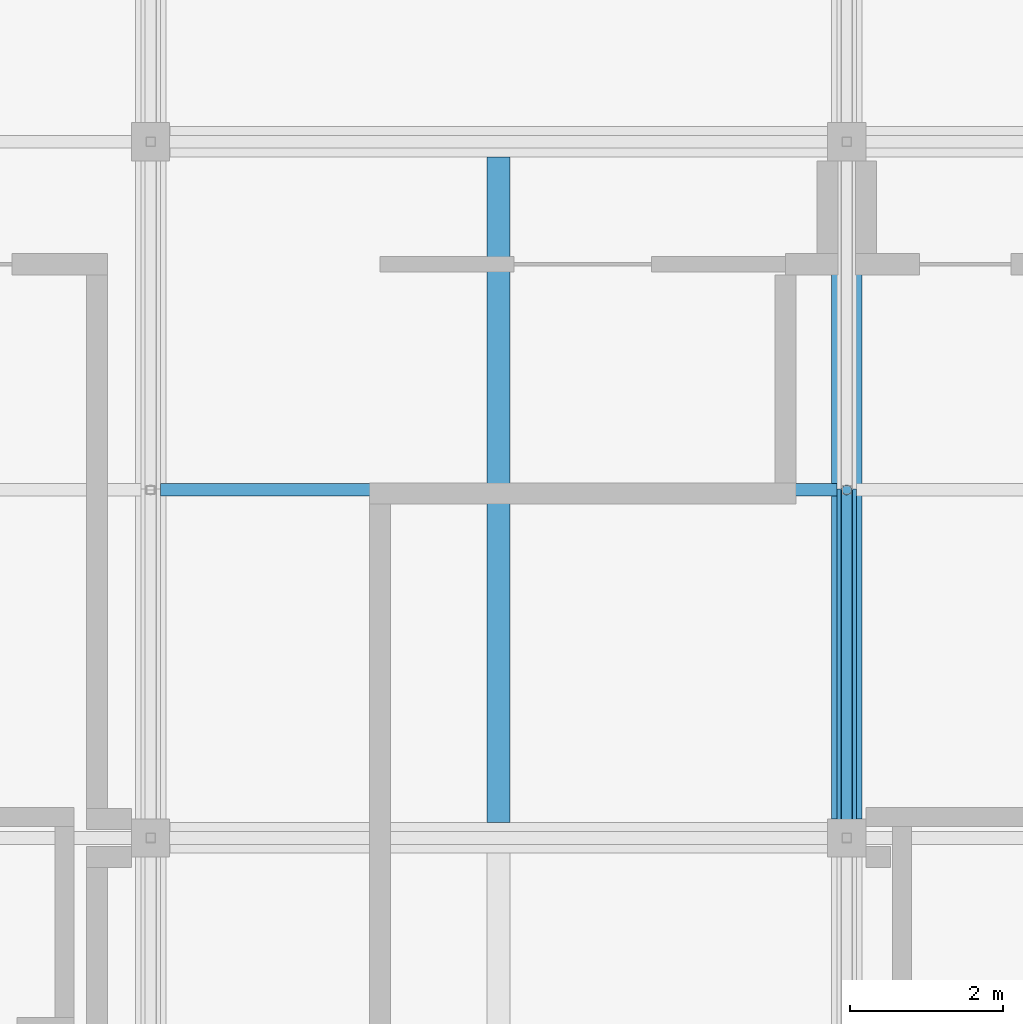
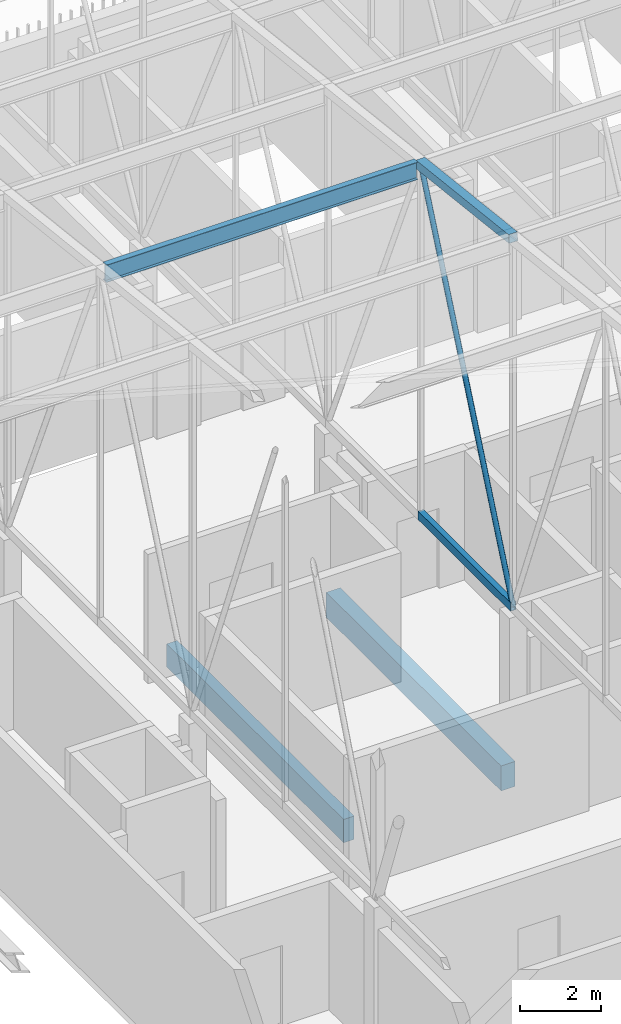
# One storey, part 293 of 500: 4 members, 2 beams.
"""IFC4 building model written with IfcOpenShell, lengths in metres."""

import ifcopenshell
import ifcopenshell.guid

model = None  # the IFC model being written
_history = None  # IfcOwnerHistory: only IFC2X3 demands one
_inside = {}  # id of a spatial element -> (the spatial element, [elements in it])
_under = {}  # id of a project, library or spatial element -> (it, [spatial elements below it])
_declared = {}  # id of a project -> (the project, [libraries it declares])
_typed = {}  # id of a type object -> (the type object, [elements of that type])
_made_of = {}  # id of a material, layer set ... -> (it, [elements and type objects made of it])


def new_model(schema):
    """Start an empty IFC model of exactly this schema.

    Asked for "IFC4X3", IfcOpenShell would pick the latest addendum, in which some entities
    have other attributes; the version numbers below select the first issue.
    IFC2X3 requires an IfcOwnerHistory on every rooted entity: one is made here for all.
    """
    global model, _history
    if schema == "IFC4X3":
        model = ifcopenshell.file(schema_version=(4, 3, 0, 0))
    else:
        model = ifcopenshell.file(schema=schema)
    _inside.clear()
    _under.clear()
    _declared.clear()
    _typed.clear()
    _made_of.clear()
    _history = None
    if model.schema == "IFC2X3":
        org = make("IfcOrganization", Name="unknown")
        user = make(
            "IfcPersonAndOrganization",
            ThePerson=make("IfcPerson", FamilyName="unknown"),
            TheOrganization=org,
        )
        app = make(
            "IfcApplication",
            ApplicationDeveloper=org,
            Version="unknown",
            ApplicationFullName="unknown",
            ApplicationIdentifier="unknown",
        )
        _history = make(
            "IfcOwnerHistory",
            OwningUser=user,
            OwningApplication=app,
            ChangeAction="ADDED",
            CreationDate=0,
        )
    return model


def make(cls, **values):
    """One entity of the class cls with the attributes given. An attribute that is None is left unset."""
    return model.create_entity(
        cls, **{name: value for name, value in values.items() if value is not None}
    )


def rooted(cls, **values):
    """An entity with a GlobalId (a new one), such as an element, a storey or a relation."""
    return make(cls, GlobalId=ifcopenshell.guid.new(), OwnerHistory=_history, **values)


def si_unit(unit_type, name, prefix=None):
    """IfcSIUnit, for example si_unit("LENGTHUNIT", "METRE", prefix="MILLI")."""
    return make("IfcSIUnit", UnitType=unit_type, Prefix=prefix, Name=name)


def assignment(units):
    """IfcUnitAssignment: the units of a project."""
    return None if units is None else make("IfcUnitAssignment", Units=units)


def point(xyz):
    """IfcCartesianPoint."""
    return None if xyz is None else make("IfcCartesianPoint", Coordinates=xyz)


def direction(xyz):
    """IfcDirection."""
    return None if xyz is None else make("IfcDirection", DirectionRatios=xyz)


def frame(location, z_axis=None, x_axis=None):
    """IfcAxis2Placement3D, a coordinate frame: its origin and axes. An axis left out is left unset."""
    return make(
        "IfcAxis2Placement3D",
        Location=point(location),
        Axis=direction(z_axis),
        RefDirection=direction(x_axis),
    )


def frame_2d(location, x_axis=None):
    """IfcAxis2Placement2D, a coordinate frame in the plane: its origin and x axis."""
    return make(
        "IfcAxis2Placement2D", Location=point(location), RefDirection=direction(x_axis)
    )


def origin():
    """The frame at (0, 0, 0) with its axes left unset."""
    return frame((0.0, 0.0, 0.0))


def origin_2d():
    """The frame at (0, 0) in the plane with its x axis left unset."""
    return frame_2d((0.0, 0.0))


def place(relative_to, where):
    """IfcLocalPlacement: puts the frame where relative to a parent placement (None: the world)."""
    return make(
        "IfcLocalPlacement", PlacementRelTo=relative_to, RelativePlacement=where
    )


def context(
    kind, dimensions, precision=None, world=None, true_north=None, identifier=None
):
    """IfcGeometricRepresentationContext, for example the 3D "Model" context."""
    return make(
        "IfcGeometricRepresentationContext",
        ContextIdentifier=identifier,
        ContextType=kind,
        CoordinateSpaceDimension=dimensions,
        Precision=precision,
        WorldCoordinateSystem=world,
        TrueNorth=true_north,
    )


def subcontext(parent, identifier, kind, view, scale=None):
    """IfcGeometricRepresentationSubContext, for example "Body" below "Model"."""
    return make(
        "IfcGeometricRepresentationSubContext",
        ContextIdentifier=identifier,
        ContextType=kind,
        ParentContext=parent,
        TargetScale=scale,
        TargetView=view,
    )


def project(units=None, contexts=None):
    """IfcProject with its units and contexts."""
    return rooted(
        "IfcProject",
        Name="project",
        RepresentationContexts=contexts,
        UnitsInContext=assignment(units),
    )


def spatial(cls, under=None, at=None, **own):
    """A site, building, storey or space (cls), placed at a placement, below another one or the project."""
    s = rooted(cls, ObjectPlacement=at, **own)
    if under is not None:
        _under.setdefault(under.id(), (under, []))[1].append(s)
    return s


def profile(cls, at=None, kind="AREA", **sizes):
    """A parametric profile (cls). Its sizes go by their IFC names, for example OverallWidth=200.0."""
    return make(cls, ProfileType=kind, Position=at, **sizes)


def rectangle(**sizes):
    """IfcRectangleProfileDef."""
    return profile("IfcRectangleProfileDef", **sizes)


def hollow_rectangle(**sizes):
    """IfcRectangleHollowProfileDef."""
    return profile("IfcRectangleHollowProfileDef", **sizes)


def hollow_circle(**sizes):
    """IfcCircleHollowProfileDef."""
    return profile("IfcCircleHollowProfileDef", **sizes)


def i_section(**sizes):
    """IfcIShapeProfileDef."""
    return profile("IfcIShapeProfileDef", **sizes)


def extrude(swept, where, along, depth):
    """IfcExtrudedAreaSolid: the profile swept, set in the frame where, extruded along a direction by depth."""
    return make(
        "IfcExtrudedAreaSolid",
        SweptArea=swept,
        Position=where,
        ExtrudedDirection=direction(along),
        Depth=depth,
    )


def shape(context_of_items, identifier, shape_type, items):
    """IfcShapeRepresentation: the items that make up one representation, for example the "Body"."""
    return make(
        "IfcShapeRepresentation",
        ContextOfItems=context_of_items,
        RepresentationIdentifier=identifier,
        RepresentationType=shape_type,
        Items=items,
    )


def material(Name=None, Category=None):
    """IfcMaterial."""
    return make("IfcMaterial", Name=Name, Category=Category)


def material_profile(
    of_material, cross_section, Name=None, Category=None, Priority=None
):
    """IfcMaterialProfile: a cross section and its material."""
    return make(
        "IfcMaterialProfile",
        Name=Name,
        Material=of_material,
        Profile=cross_section,
        Priority=Priority,
        Category=Category,
    )


def profile_set(profiles, Name=None, composite=None):
    """IfcMaterialProfileSet."""
    return make(
        "IfcMaterialProfileSet",
        Name=Name,
        MaterialProfiles=profiles,
        CompositeProfile=composite,
    )


def made_of(thing, what):
    """Note that an element or type object is made of a material, layer set ...; save() writes the relation."""
    if what is not None:
        _made_of.setdefault(what.id(), (what, []))[1].append(thing)
    return thing


def type_object(cls, material=None, **own):
    """A type object (cls), such as IfcWallType, which elements share."""
    return made_of(rooted(cls, **own), material)


def element(
    cls,
    number,
    at=None,
    inside=None,
    cuts=None,
    type_object=None,
    material=None,
    context=None,
    identifier="Body",
    shape_type=None,
    held_by="IfcProductDefinitionShape",
    body=None,
    shapes=None,
    **own,
):
    """One element of the class cls, such as IfcWall. Its Tag is "e" and its number.

    at: its placement. inside: the storey or other place that contains it. cuts: it is an
    opening in that element (IfcRelVoidsElement). A single representation is given by context,
    identifier, shape_type and body (its items); several are given by shapes. held_by: the class
    of the entity that holds the representations. save() writes the other relations.
    """
    e = rooted(cls, Tag="e%d" % number, ObjectPlacement=at, **own)
    if body is not None:
        shapes = [shape(context, identifier, shape_type, body)]
    if shapes is not None:
        e.Representation = make(held_by, Representations=shapes)
    if inside is not None:
        _inside.setdefault(inside.id(), (inside, []))[1].append(e)
    if cuts is not None:
        rooted(
            "IfcRelVoidsElement", RelatingBuildingElement=cuts, RelatedOpeningElement=e
        )
    if type_object is not None:
        _typed.setdefault(type_object.id(), (type_object, []))[1].append(e)
    return made_of(e, material)


def aggregate(whole, parts):
    """IfcRelAggregates: a whole, such as a stair, and the parts it consists of."""
    return rooted("IfcRelAggregates", RelatingObject=whole, RelatedObjects=parts)


def save(model, path):
    """Write the relations noted so far, then the file.

    IfcRelAggregates (storeys below a building ...), IfcRelContainedInSpatialStructure (elements
    in a storey), IfcRelDefinesByType, IfcRelAssociatesMaterial and IfcRelDeclares: one each for
    every whole, place, type object, material and project.
    """
    for whole, parts in _under.values():
        aggregate(whole, parts)
    for where, things in _inside.values():
        rooted(
            "IfcRelContainedInSpatialStructure",
            RelatedElements=things,
            RelatingStructure=where,
        )
    for kind, things in _typed.values():
        rooted("IfcRelDefinesByType", RelatedObjects=things, RelatingType=kind)
    for what, things in _made_of.values():
        rooted("IfcRelAssociatesMaterial", RelatedObjects=things, RelatingMaterial=what)
    for by, libraries in _declared.values():
        rooted("IfcRelDeclares", RelatingContext=by, RelatedDefinitions=libraries)
    model.write(path)


model = new_model("IFC4")

# Units and contexts
model_context = context("Model", 3, precision=1e-05, world=origin(), true_north=direction((0.0, 1.0)))
body_context = subcontext(model_context, "Body", "Model", "MODEL_VIEW")
ifc_project = project(units=[si_unit("LENGTHUNIT", "METRE"), si_unit("AREAUNIT", "SQUARE_METRE"), si_unit("VOLUMEUNIT", "CUBIC_METRE"), si_unit("PLANEANGLEUNIT", "RADIAN"), si_unit("MASSUNIT", "GRAM", prefix="KILO")], contexts=[model_context])

# Site, building, storey
site_placement = place(None, origin())
site = spatial("IfcSite", under=ifc_project, at=site_placement, CompositionType="ELEMENT")
building_placement = place(site_placement, origin())
building = spatial("IfcBuilding", under=site, at=building_placement, Name="Shirokan Park Arena", CompositionType="ELEMENT")
storey_placement = place(building_placement, frame((0.0, 0.0, 29.1201171875)))
storey = spatial("IfcBuildingStorey", under=building, at=storey_placement, Name="L06", CompositionType="ELEMENT", Elevation=29.1201171875)

# Members
ifc_material_1 = material(Name="Steel ASTM A500 Grade C", Category="steel")
ifc_material_profile_1 = material_profile(ifc_material_1, hollow_rectangle(XDim=0.152099609375, YDim=0.25390625, WallThickness=0.009521484375, at=origin_2d()), Name="HSS254X152.4X9.5")
ifc_profile_set_1 = profile_set([ifc_material_profile_1], Name="Steel ASTM A500 Grade C")
member_type_1 = type_object("IfcMemberType", Name="Bottom chord HSS254X152.4X9.5", PredefinedType="CHORD", material=ifc_profile_set_1)
member_1_placement = place(storey_placement, frame((118.300048828125, 81.89990234375, 4.677001953125), z_axis=(0.0, 1.0, 0.0), x_axis=(-1.0, 0.0, 0.0)))
element("IfcMember", 1, at=member_1_placement, inside=storey, type_object=member_type_1, Name="Truss T14 bottom chord 21", PredefinedType="CHORD", context=body_context, shape_type="SweptSolid", body=[
    extrude(hollow_rectangle(XDim=0.152099609375, YDim=0.25390625, WallThickness=0.009521484375, at=origin_2d()), origin(), (0.0, 0.0, 1.0), 4.550048828125),
])
ifc_material_2 = material(Name="Steel ASTM A992", Category="steel")
ifc_material_profile_2 = material_profile(ifc_material_2, i_section(OverallWidth=0.166015625, OverallDepth=0.528076171875, WebThickness=0.009765625, FlangeThickness=0.013671875, at=origin_2d()), Name="W530X74")
ifc_profile_set_2 = profile_set([ifc_material_profile_2], Name="Steel ASTM A992")
member_type_2 = type_object("IfcMemberType", Name="Purlin W530X74", PredefinedType="PURLIN", material=ifc_profile_set_2)
member_2_placement = place(storey_placement, frame((109.326904296875, 86.449951171875, 15.0859375), z_axis=(1.0, 0.0, 0.0), x_axis=(0.0, 1.0, 0.0)))
element("IfcMember", 2, at=member_2_placement, inside=storey, type_object=member_type_2, Name="Purlin 22 bay 13", PredefinedType="PURLIN", context=body_context, shape_type="SweptSolid", body=[
    extrude(i_section(OverallWidth=0.166015625, OverallDepth=0.528076171875, WebThickness=0.009765625, FlangeThickness=0.013671875, at=origin_2d()), origin(), (0.0, 0.0, 1.0), 8.84619140625),
])

# Beams
ifc_material_3 = material(Name="Concrete C35", Category="concrete")
ifc_material_profile_3 = material_profile(ifc_material_3, rectangle(XDim=0.39990234375, YDim=0.75, at=origin_2d()), Name="400x750")
ifc_profile_set_3 = profile_set([ifc_material_profile_3], Name="Concrete C35")
beam_type_1 = type_object("IfcBeamType", Name="RC girder 400x750", PredefinedType="BEAM", material=ifc_profile_set_3)
beam_1_placement = place(storey_placement, frame((118.300048828125, 82.150146484375, -0.5751953125), z_axis=(0.0, 1.0, 0.0), x_axis=(-1.0, 0.0, 0.0)))
element("IfcBeam", 3, at=beam_1_placement, inside=storey, type_object=beam_type_1, Name="Girder 14K-14L L06", PredefinedType="BEAM", context=body_context, shape_type="SweptSolid", body=[
    extrude(rectangle(XDim=0.39990234375, YDim=0.75, at=origin_2d()), origin(), (0.0, 0.0, 1.0), 8.599853515625),
])
ifc_material_profile_4 = material_profile(ifc_material_3, rectangle(XDim=0.300048828125, YDim=0.699951171875, at=origin_2d()), Name="300x700")
ifc_profile_set_4 = profile_set([ifc_material_profile_4], Name="Concrete C35")
beam_type_2 = type_object("IfcBeamType", Name="RC joist 300x700", PredefinedType="JOIST", material=ifc_profile_set_4)
beam_2_placement = place(storey_placement, frame((113.75, 82.10009765625, -0.550048828125), z_axis=(0.0, 1.0, 0.0), x_axis=(-1.0, 0.0, 0.0)))
element("IfcBeam", 4, at=beam_2_placement, inside=storey, type_object=beam_type_2, Name="Joist 13K L06", PredefinedType="JOIST", context=body_context, shape_type="SweptSolid", body=[
    extrude(rectangle(XDim=0.300048828125, YDim=0.699951171875, at=origin_2d()), origin(), (0.0, 0.0, 1.0), 8.699951171875),
])

# Members
ifc_material_profile_5 = material_profile(ifc_material_1, hollow_rectangle(XDim=0.25390625, YDim=0.25390625, WallThickness=0.009521484375, at=origin_2d()), Name="HSS254X254X9.5")
ifc_profile_set_5 = profile_set([ifc_material_profile_5], Name="Steel ASTM A500 Grade C")
member_type_3 = type_object("IfcMemberType", Name="Top chord HSS254X254X9.5", PredefinedType="CHORD", material=ifc_profile_set_5)
member_3_placement = place(storey_placement, frame((118.300048828125, 81.89990234375, 15.742919921875), z_axis=(0.0, 0.993532328996, -0.113549598152), x_axis=(-1.0, 0.0, 0.0)))
element("IfcMember", 5, at=member_3_placement, inside=storey, type_object=member_type_3, Name="Truss T14 top chord 21", PredefinedType="CHORD", context=body_context, shape_type="SweptSolid", body=[
    extrude(hollow_rectangle(XDim=0.25390625, YDim=0.25390625, WallThickness=0.009521484375, at=origin_2d()), origin(), (0.0, 0.0, 1.0), 4.57958984375),
])
ifc_material_profile_6 = material_profile(ifc_material_1, hollow_circle(Radius=0.070556640625, WallThickness=0.006591796875, at=origin_2d()), Name="HSS141.3X6.6")
ifc_profile_set_6 = profile_set([ifc_material_profile_6], Name="Steel ASTM A500 Grade C")
member_type_4 = type_object("IfcMemberType", Name="Truss diagonal HSS141.3X6.6", PredefinedType="BRACE", material=ifc_profile_set_6)
member_4_placement = place(storey_placement, frame((118.300048828125, 81.89990234375, 4.677001953125), z_axis=(0.0, 0.396152605513, 0.918184683572), x_axis=(-1.0, 0.0, 0.0)))
element("IfcMember", 6, at=member_4_placement, inside=storey, type_object=member_type_4, Name="Truss T14 diagonal 21", PredefinedType="BRACE", context=body_context, shape_type="SweptSolid", body=[
    extrude(hollow_circle(Radius=0.070556640625, WallThickness=0.006591796875, at=origin_2d()), origin(), (0.0, 0.0, 1.0), 11.485595703125),
])

save(model, "model.ifc")
